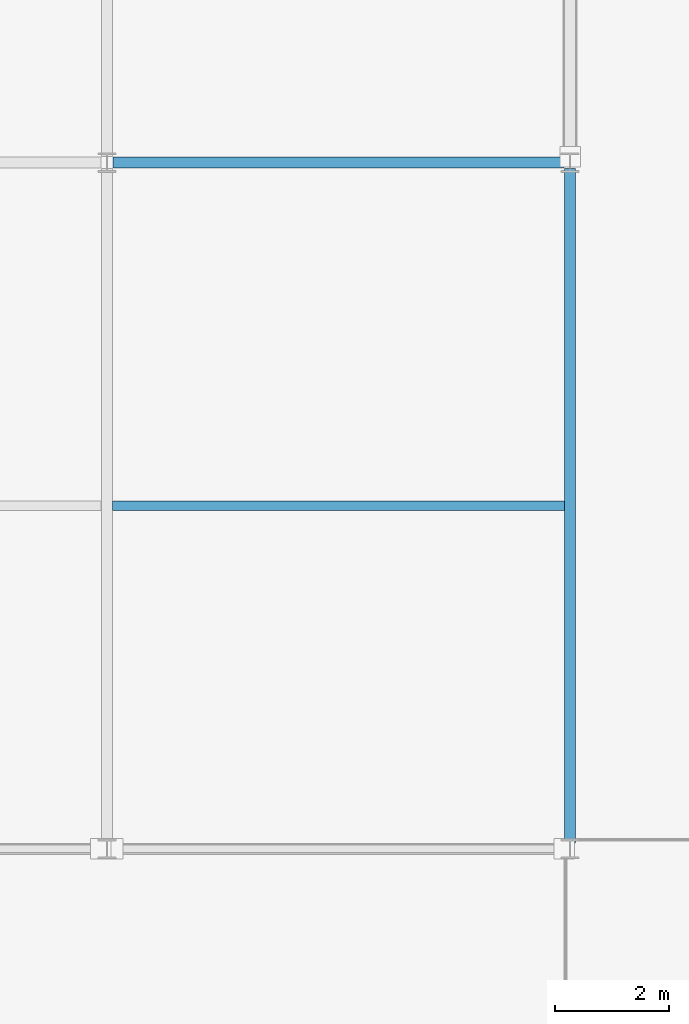
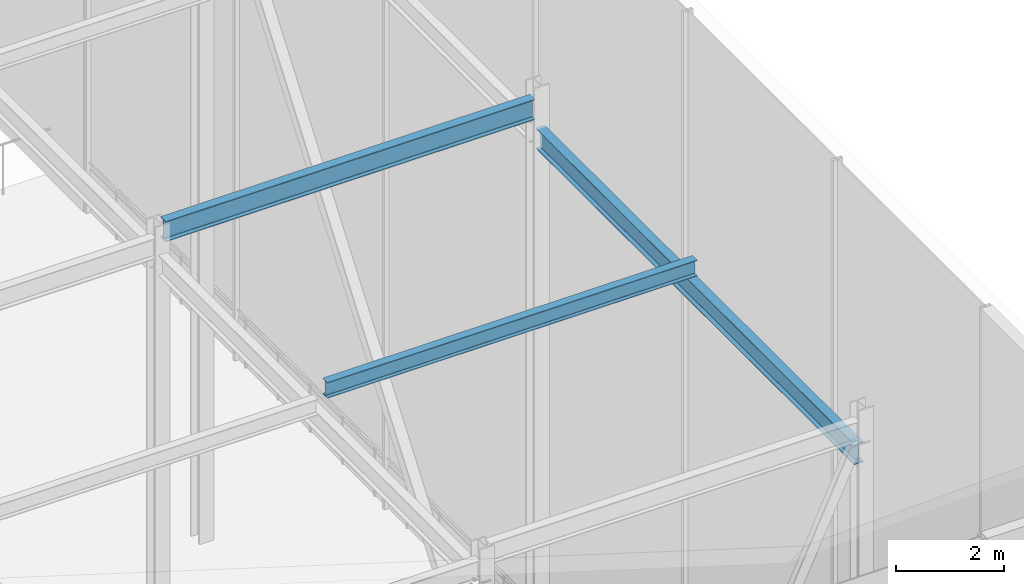
# One storey, part 27 of 39: 3 beams.
"""IFC4 building model written with IfcOpenShell, lengths in metres."""

from ifc_helpers import new_model, si_unit, direction, frame, origin, origin_2d, place, context, subcontext, project, spatial, i_section, extrude, material, material_profile, profile_set, type_object, element, save


model = new_model("IFC4")

# Units and contexts
model_context = context("Model", 3, precision=1e-05, world=origin(), true_north=direction((0.0, 1.0)))
body_context = subcontext(model_context, "Body", "Model", "MODEL_VIEW")
ifc_project = project(units=[si_unit("LENGTHUNIT", "METRE"), si_unit("AREAUNIT", "SQUARE_METRE"), si_unit("VOLUMEUNIT", "CUBIC_METRE"), si_unit("PLANEANGLEUNIT", "RADIAN"), si_unit("MASSUNIT", "GRAM", prefix="KILO")], contexts=[model_context])

# Site, building, storey
site_placement = place(None, origin())
site = spatial("IfcSite", under=ifc_project, at=site_placement, CompositionType="ELEMENT")
building_placement = place(site_placement, origin())
building = spatial("IfcBuilding", under=site, at=building_placement, Name="Korimba Cascade Residences", CompositionType="ELEMENT")
storey_placement = place(building_placement, frame((0.0, 0.0, 264.199951171875)))
storey = spatial("IfcBuildingStorey", under=building, at=storey_placement, Name="RF", CompositionType="ELEMENT", Elevation=264.199951171875)

# Beams
ifc_material = material(Name="Steel S355", Category="steel")
ifc_material_profile_1 = material_profile(ifc_material, i_section(OverallWidth=0.172119140625, OverallDepth=0.35791015625, WebThickness=0.008056640625, FlangeThickness=0.012939453125, FilletRadius=0.01025390625, at=origin_2d()), Name="Steel S355")
ifc_profile_set_1 = profile_set([ifc_material_profile_1], Name="Steel S355")
beam_type_1 = type_object("IfcBeamType", Name="BM-STL-UB356", PredefinedType="JOIST", material=ifc_profile_set_1)
beam_1_placement = place(storey_placement, frame((120.39990234375, 61.199951171875, 17.33642578125), z_axis=(1.0, 0.0, 0.0), x_axis=(0.0, 1.0, 0.0)))
element("IfcBeam", 1, at=beam_1_placement, inside=storey, type_object=beam_type_1, Name="RF Crown Cap Joist E1.3", PredefinedType="JOIST", context=body_context, shape_type="SweptSolid", body=[
    extrude(i_section(OverallWidth=0.172119140625, OverallDepth=0.35791015625, WebThickness=0.008056640625, FlangeThickness=0.012939453125, FilletRadius=0.01025390625, at=origin_2d()), origin(), (0.0, 0.0, 1.0), 7.900146484375),
])
ifc_material_profile_2 = material_profile(ifc_material, i_section(OverallWidth=0.19140625, OverallDepth=0.4599609375, WebThickness=0.010009765625, FlangeThickness=0.01611328125, FilletRadius=0.01025390625, at=origin_2d()), Name="Steel S355")
ifc_profile_set_2 = profile_set([ifc_material_profile_2], Name="Steel S355")
beam_type_2 = type_object("IfcBeamType", Name="BM-STL-UB457", PredefinedType="JOIST", material=ifc_profile_set_2)
beam_2_placement = place(storey_placement, frame((120.405029296875, 67.199951171875, 17.285400390625), z_axis=(1.0, 0.0, 0.0), x_axis=(0.0, 1.0, 0.0)))
element("IfcBeam", 2, at=beam_2_placement, inside=storey, type_object=beam_type_2, Name="RF Crown Cap Ring Beam E2.3", PredefinedType="JOIST", context=body_context, shape_type="SweptSolid", body=[
    extrude(i_section(OverallWidth=0.19140625, OverallDepth=0.4599609375, WebThickness=0.010009765625, FlangeThickness=0.01611328125, FilletRadius=0.01025390625, at=origin_2d()), origin(), (0.0, 0.0, 1.0), 7.889892578125),
])
beam_3_placement = place(storey_placement, frame((128.39990234375, 55.304931640625, 16.638916015625), z_axis=(0.0, 1.0, 0.0), x_axis=(-1.0, 0.0, 0.0)))
element("IfcBeam", 3, at=beam_3_placement, inside=storey, type_object=beam_type_2, Name="RF Crown Cap Tie Beam E4.1", PredefinedType="JOIST", context=body_context, shape_type="SweptSolid", body=[
    extrude(i_section(OverallWidth=0.19140625, OverallDepth=0.4599609375, WebThickness=0.010009765625, FlangeThickness=0.01611328125, FilletRadius=0.01025390625, at=origin_2d()), origin(), (0.0, 0.0, 1.0), 11.7900390625),
])

save(model, "model.ifc")
